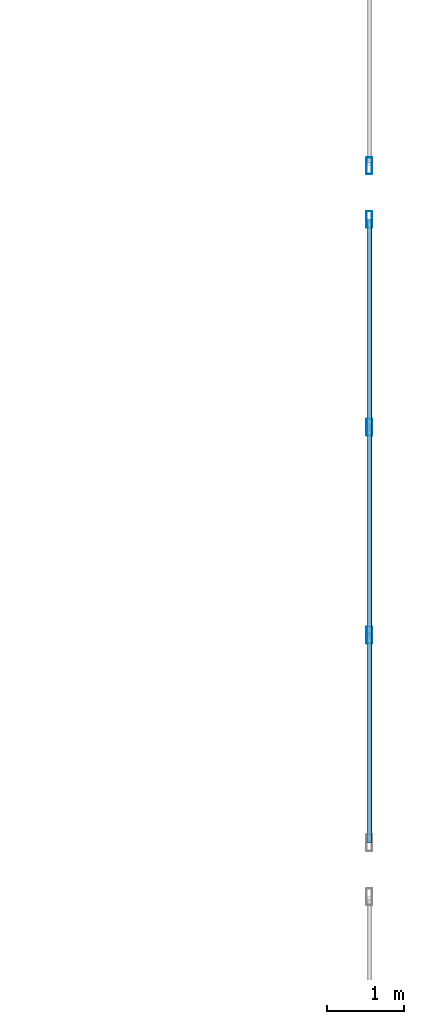
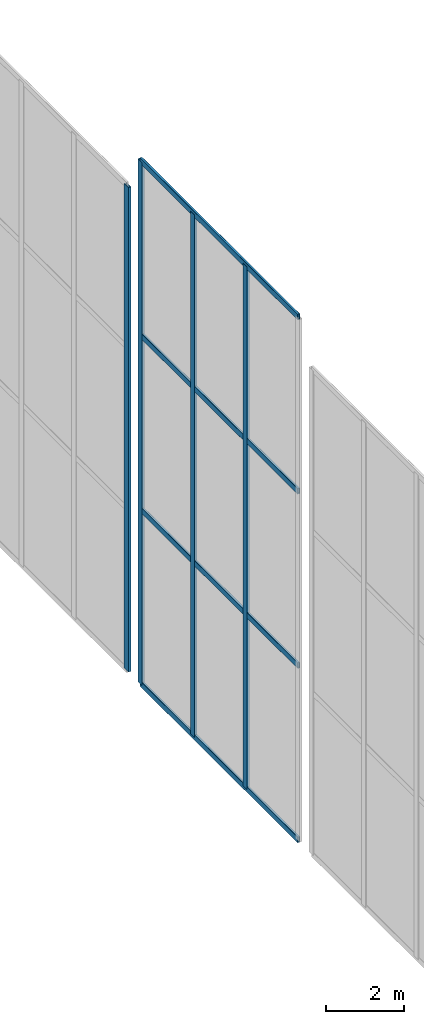
# One storey, part 106 of 163: 8 members, 2 elements without a shape of their own.
"""IFC4 building model written with IfcOpenShell, lengths in metres."""

from ifc_helpers import new_model, si_unit, direction, frame, origin, origin_2d, place, context, subcontext, project, spatial, hollow_rectangle, extrude, material, material_profile, profile_set, type_object, element, aggregate, save


model = new_model("IFC4")

# Units and contexts
model_context = context("Model", 3, precision=1e-05, world=origin(), true_north=direction((0.0, 1.0)))
body_context = subcontext(model_context, "Body", "Model", "MODEL_VIEW")
ifc_project = project(units=[si_unit("LENGTHUNIT", "METRE"), si_unit("AREAUNIT", "SQUARE_METRE"), si_unit("VOLUMEUNIT", "CUBIC_METRE"), si_unit("PLANEANGLEUNIT", "RADIAN"), si_unit("MASSUNIT", "GRAM", prefix="KILO")], contexts=[model_context])

# Site, building, storey
site_placement = place(None, origin())
site = spatial("IfcSite", under=ifc_project, at=site_placement, CompositionType="ELEMENT")
building_placement = place(site_placement, origin())
building = spatial("IfcBuilding", under=site, at=building_placement, Name="Varnabhumi Central Station", CompositionType="ELEMENT")
storey_placement = place(building_placement, frame((0.0, 0.0, 9.60009765625)))
storey = spatial("IfcBuildingStorey", under=building, at=storey_placement, Name="L02", CompositionType="ELEMENT", Elevation=9.60009765625)

# Curtain wall, members
ifc_material = material(Name="Anodised aluminium 6063-T6", Category="aluminium")
curtain_wall_type = type_object("IfcCurtainWallType", Name="CW-VAULT-ARCH-V5", PredefinedType="NOTDEFINED", material=ifc_material)
curtain_wall_1_placement = place(storey_placement, origin())
curtain_wall_1 = element("IfcCurtainWall", 1, at=curtain_wall_1_placement, inside=storey, type_object=curtain_wall_type, Name="Curtain Wall CW-WG3", PredefinedType="NOTDEFINED")
ifc_material_profile_1 = material_profile(ifc_material, hollow_rectangle(XDim=0.074951171875, YDim=0.219970703125, WallThickness=0.0048828125, InnerFilletRadius=0.0009765625, OuterFilletRadius=0.006103515625, at=origin_2d()), Name="Anodised aluminium 6063-T6", Category="aluminium")
ifc_profile_set_1 = profile_set([ifc_material_profile_1], Name="Anodised aluminium 6063-T6")
member_type_1 = type_object("IfcMemberType", Name="CW-MUL-220", PredefinedType="MULLION", material=ifc_profile_set_1)
member_1_placement = place(storey_placement, frame((184.0, 56.64990234375, 0.0), z_axis=(0.0, 0.0, 1.0), x_axis=(1.0, 0.0, 0.0)))
member_1 = element("IfcMember", 2, at=member_1_placement, type_object=member_type_1, Name="Curtain Wall Mullion CW-WG3-M2", PredefinedType="MULLION", context=body_context, shape_type="SweptSolid", body=[
    extrude(hollow_rectangle(XDim=0.074951171875, YDim=0.219970703125, WallThickness=0.0048828125, InnerFilletRadius=0.0009765625, OuterFilletRadius=0.006103515625, at=origin_2d()), origin(), (0.0, 0.0, 1.0), 16.39990234375),
])
member_2_placement = place(storey_placement, frame((184.0, 59.35009765625, 0.0), z_axis=(0.0, 0.0, 1.0), x_axis=(1.0, 0.0, 0.0)))
member_2 = element("IfcMember", 3, at=member_2_placement, type_object=member_type_1, Name="Curtain Wall Mullion CW-WG3-M3", PredefinedType="MULLION", context=body_context, shape_type="SweptSolid", body=[
    extrude(hollow_rectangle(XDim=0.074951171875, YDim=0.219970703125, WallThickness=0.0048828125, InnerFilletRadius=0.0009765625, OuterFilletRadius=0.006103515625, at=origin_2d()), origin(), (0.0, 0.0, 1.0), 16.39990234375),
])
member_3_placement = place(storey_placement, frame((184.0, 62.050048828125, 0.0), z_axis=(0.0, 0.0, 1.0), x_axis=(1.0, 0.0, 0.0)))
member_3 = element("IfcMember", 4, at=member_3_placement, type_object=member_type_1, Name="Curtain Wall Mullion CW-WG3-M4", PredefinedType="MULLION", context=body_context, shape_type="SweptSolid", body=[
    extrude(hollow_rectangle(XDim=0.074951171875, YDim=0.219970703125, WallThickness=0.0048828125, InnerFilletRadius=0.0009765625, OuterFilletRadius=0.006103515625, at=origin_2d()), origin(), (0.0, 0.0, 1.0), 16.39990234375),
])

# Curtain wall, member
curtain_wall_2_placement = place(storey_placement, origin())
curtain_wall_2 = element("IfcCurtainWall", 5, at=curtain_wall_2_placement, inside=storey, type_object=curtain_wall_type, Name="Curtain Wall CW-WG4", PredefinedType="NOTDEFINED")
member_4_placement = place(storey_placement, frame((184.0, 62.75, 0.0), z_axis=(0.0, 0.0, 1.0), x_axis=(1.0, 0.0, 0.0)))
member_4 = element("IfcMember", 6, at=member_4_placement, type_object=member_type_1, Name="Curtain Wall Mullion CW-WG4-M1", PredefinedType="MULLION", context=body_context, shape_type="SweptSolid", body=[
    extrude(hollow_rectangle(XDim=0.074951171875, YDim=0.219970703125, WallThickness=0.0048828125, InnerFilletRadius=0.0009765625, OuterFilletRadius=0.006103515625, at=origin_2d()), origin(), (0.0, 0.0, 1.0), 15.20068359375),
])
aggregate(curtain_wall_2, [member_4])

# Member
ifc_material_profile_2 = material_profile(ifc_material, hollow_rectangle(XDim=0.06494140625, YDim=0.179931640625, WallThickness=0.00390625, InnerFilletRadius=0.001953125, OuterFilletRadius=0.006103515625, at=origin_2d()), Name="Anodised aluminium 6063-T6", Category="aluminium")
ifc_profile_set_2 = profile_set([ifc_material_profile_2], Name="Anodised aluminium 6063-T6")
member_type_2 = type_object("IfcMemberType", Name="CW-TR-180", PredefinedType="USERDEFINED", material=ifc_profile_set_2)
member_5_placement = place(storey_placement, frame((184.0, 53.949951171875, 0.0), z_axis=(0.0, 1.0, 0.0), x_axis=(-1.0, 0.0, 0.0)))
member_5 = element("IfcMember", 7, at=member_5_placement, type_object=member_type_2, Name="Curtain Wall Transom CW-WG3-T1", ObjectType="TRANSOM", PredefinedType="USERDEFINED", context=body_context, shape_type="SweptSolid", body=[
    extrude(hollow_rectangle(XDim=0.06494140625, YDim=0.179931640625, WallThickness=0.00390625, InnerFilletRadius=0.001953125, OuterFilletRadius=0.006103515625, at=origin_2d()), origin(), (0.0, 0.0, 1.0), 8.10009765625),
])

member_6_placement = place(storey_placement, frame((184.0, 53.949951171875, 5.466552734375), z_axis=(0.0, 1.0, 0.0), x_axis=(-1.0, 0.0, 0.0)))
member_6 = element("IfcMember", 8, at=member_6_placement, type_object=member_type_2, Name="Curtain Wall Transom CW-WG3-T2", ObjectType="TRANSOM", PredefinedType="USERDEFINED", context=body_context, shape_type="SweptSolid", body=[
    extrude(hollow_rectangle(XDim=0.06494140625, YDim=0.179931640625, WallThickness=0.00390625, InnerFilletRadius=0.001953125, OuterFilletRadius=0.006103515625, at=origin_2d()), origin(), (0.0, 0.0, 1.0), 8.10009765625),
])

member_7_placement = place(storey_placement, frame((184.0, 53.949951171875, 10.933349609375), z_axis=(0.0, 1.0, 0.0), x_axis=(-1.0, 0.0, 0.0)))
member_7 = element("IfcMember", 9, at=member_7_placement, type_object=member_type_2, Name="Curtain Wall Transom CW-WG3-T3", ObjectType="TRANSOM", PredefinedType="USERDEFINED", context=body_context, shape_type="SweptSolid", body=[
    extrude(hollow_rectangle(XDim=0.06494140625, YDim=0.179931640625, WallThickness=0.00390625, InnerFilletRadius=0.001953125, OuterFilletRadius=0.006103515625, at=origin_2d()), origin(), (0.0, 0.0, 1.0), 8.10009765625),
])

member_8_placement = place(storey_placement, frame((184.0, 53.949951171875, 16.39990234375), z_axis=(0.0, 1.0, 0.0), x_axis=(-1.0, 0.0, 0.0)))
member_8 = element("IfcMember", 10, at=member_8_placement, type_object=member_type_2, Name="Curtain Wall Transom CW-WG3-T4", ObjectType="TRANSOM", PredefinedType="USERDEFINED", context=body_context, shape_type="SweptSolid", body=[
    extrude(hollow_rectangle(XDim=0.06494140625, YDim=0.179931640625, WallThickness=0.00390625, InnerFilletRadius=0.001953125, OuterFilletRadius=0.006103515625, at=origin_2d()), origin(), (0.0, 0.0, 1.0), 8.10009765625),
])

aggregate(curtain_wall_1, [member_1, member_2, member_3, member_5, member_6, member_7, member_8])

save(model, "model.ifc")
